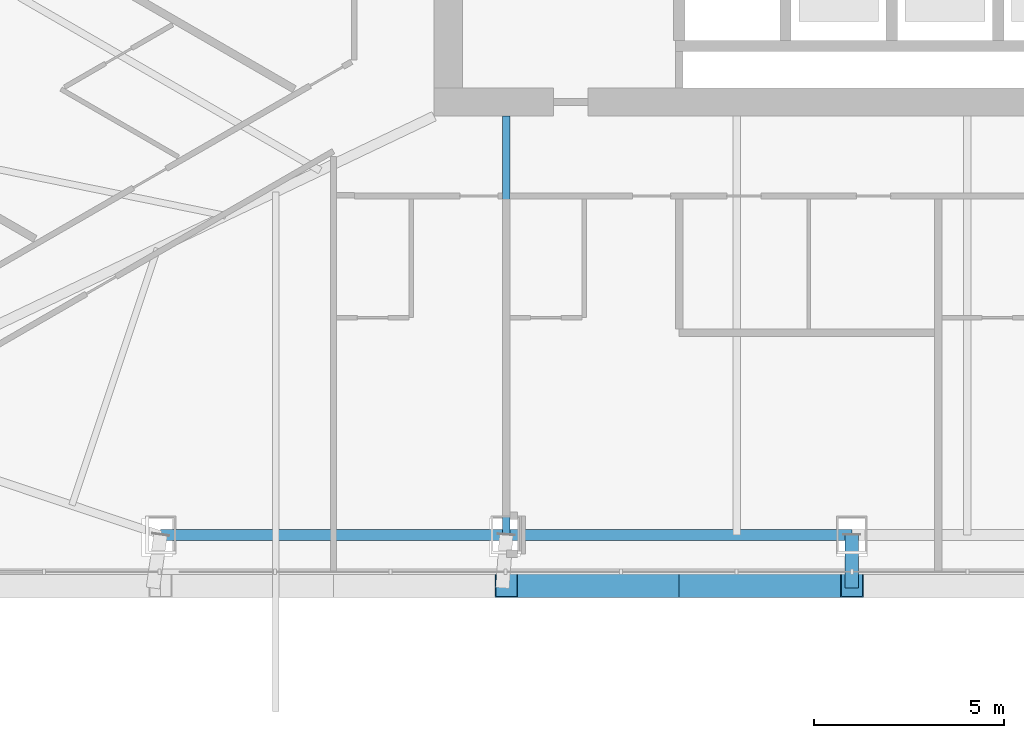
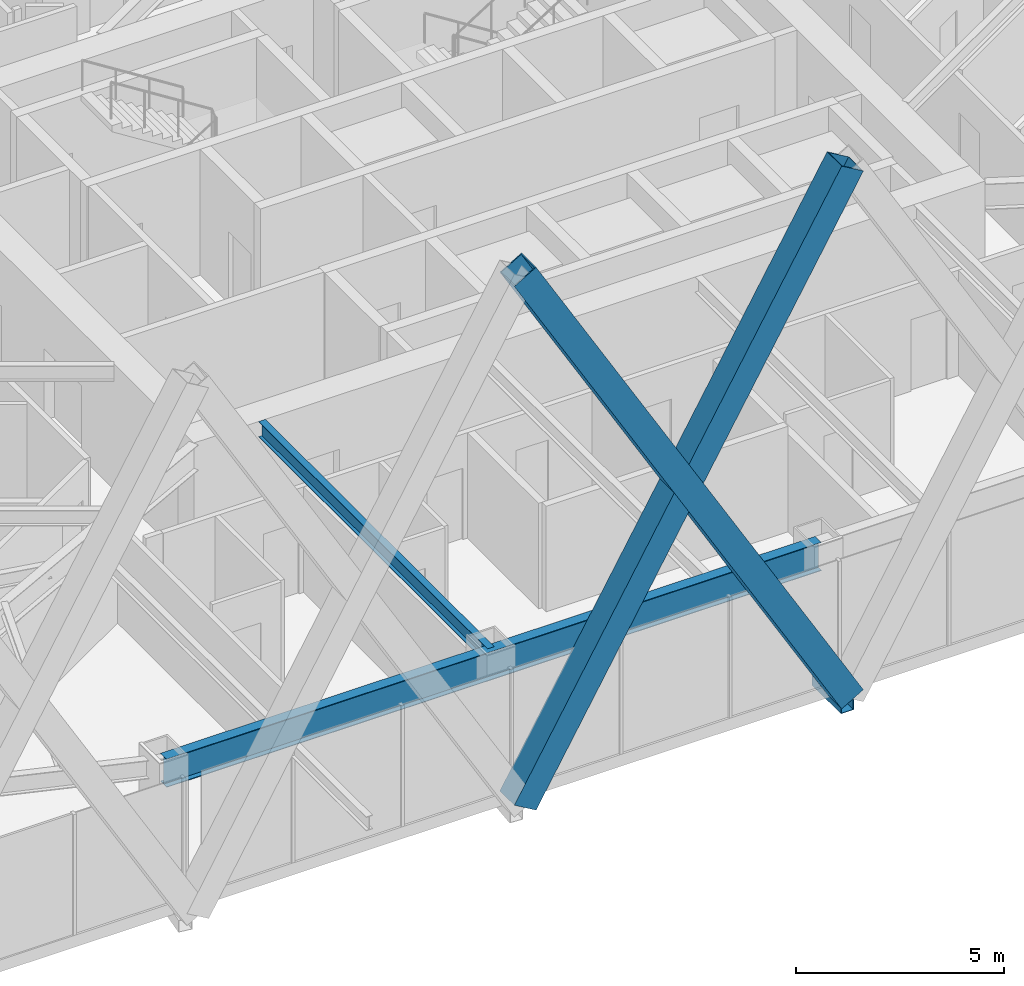
# One storey, part 3 of 26: 3 members, 2 beams.
"""IFC4 building model written with IfcOpenShell, lengths in metres."""

import ifcopenshell
import ifcopenshell.guid

model = None  # the IFC model being written
_history = None  # IfcOwnerHistory: only IFC2X3 demands one
_inside = {}  # id of a spatial element -> (the spatial element, [elements in it])
_under = {}  # id of a project, library or spatial element -> (it, [spatial elements below it])
_declared = {}  # id of a project -> (the project, [libraries it declares])
_typed = {}  # id of a type object -> (the type object, [elements of that type])
_made_of = {}  # id of a material, layer set ... -> (it, [elements and type objects made of it])


def new_model(schema):
    """Start an empty IFC model of exactly this schema.

    Asked for "IFC4X3", IfcOpenShell would pick the latest addendum, in which some entities
    have other attributes; the version numbers below select the first issue.
    IFC2X3 requires an IfcOwnerHistory on every rooted entity: one is made here for all.
    """
    global model, _history
    if schema == "IFC4X3":
        model = ifcopenshell.file(schema_version=(4, 3, 0, 0))
    else:
        model = ifcopenshell.file(schema=schema)
    _inside.clear()
    _under.clear()
    _declared.clear()
    _typed.clear()
    _made_of.clear()
    _history = None
    if model.schema == "IFC2X3":
        org = make("IfcOrganization", Name="unknown")
        user = make(
            "IfcPersonAndOrganization",
            ThePerson=make("IfcPerson", FamilyName="unknown"),
            TheOrganization=org,
        )
        app = make(
            "IfcApplication",
            ApplicationDeveloper=org,
            Version="unknown",
            ApplicationFullName="unknown",
            ApplicationIdentifier="unknown",
        )
        _history = make(
            "IfcOwnerHistory",
            OwningUser=user,
            OwningApplication=app,
            ChangeAction="ADDED",
            CreationDate=0,
        )
    return model


def make(cls, **values):
    """One entity of the class cls with the attributes given. An attribute that is None is left unset."""
    return model.create_entity(
        cls, **{name: value for name, value in values.items() if value is not None}
    )


def rooted(cls, **values):
    """An entity with a GlobalId (a new one), such as an element, a storey or a relation."""
    return make(cls, GlobalId=ifcopenshell.guid.new(), OwnerHistory=_history, **values)


def si_unit(unit_type, name, prefix=None):
    """IfcSIUnit, for example si_unit("LENGTHUNIT", "METRE", prefix="MILLI")."""
    return make("IfcSIUnit", UnitType=unit_type, Prefix=prefix, Name=name)


def assignment(units):
    """IfcUnitAssignment: the units of a project."""
    return None if units is None else make("IfcUnitAssignment", Units=units)


def point(xyz):
    """IfcCartesianPoint."""
    return None if xyz is None else make("IfcCartesianPoint", Coordinates=xyz)


def direction(xyz):
    """IfcDirection."""
    return None if xyz is None else make("IfcDirection", DirectionRatios=xyz)


def frame(location, z_axis=None, x_axis=None):
    """IfcAxis2Placement3D, a coordinate frame: its origin and axes. An axis left out is left unset."""
    return make(
        "IfcAxis2Placement3D",
        Location=point(location),
        Axis=direction(z_axis),
        RefDirection=direction(x_axis),
    )


def frame_2d(location, x_axis=None):
    """IfcAxis2Placement2D, a coordinate frame in the plane: its origin and x axis."""
    return make(
        "IfcAxis2Placement2D", Location=point(location), RefDirection=direction(x_axis)
    )


def origin():
    """The frame at (0, 0, 0) with its axes left unset."""
    return frame((0.0, 0.0, 0.0))


def origin_2d():
    """The frame at (0, 0) in the plane with its x axis left unset."""
    return frame_2d((0.0, 0.0))


def place(relative_to, where):
    """IfcLocalPlacement: puts the frame where relative to a parent placement (None: the world)."""
    return make(
        "IfcLocalPlacement", PlacementRelTo=relative_to, RelativePlacement=where
    )


def context(
    kind, dimensions, precision=None, world=None, true_north=None, identifier=None
):
    """IfcGeometricRepresentationContext, for example the 3D "Model" context."""
    return make(
        "IfcGeometricRepresentationContext",
        ContextIdentifier=identifier,
        ContextType=kind,
        CoordinateSpaceDimension=dimensions,
        Precision=precision,
        WorldCoordinateSystem=world,
        TrueNorth=true_north,
    )


def subcontext(parent, identifier, kind, view, scale=None):
    """IfcGeometricRepresentationSubContext, for example "Body" below "Model"."""
    return make(
        "IfcGeometricRepresentationSubContext",
        ContextIdentifier=identifier,
        ContextType=kind,
        ParentContext=parent,
        TargetScale=scale,
        TargetView=view,
    )


def project(units=None, contexts=None):
    """IfcProject with its units and contexts."""
    return rooted(
        "IfcProject",
        Name="project",
        RepresentationContexts=contexts,
        UnitsInContext=assignment(units),
    )


def spatial(cls, under=None, at=None, **own):
    """A site, building, storey or space (cls), placed at a placement, below another one or the project."""
    s = rooted(cls, ObjectPlacement=at, **own)
    if under is not None:
        _under.setdefault(under.id(), (under, []))[1].append(s)
    return s


def profile(cls, at=None, kind="AREA", **sizes):
    """A parametric profile (cls). Its sizes go by their IFC names, for example OverallWidth=200.0."""
    return make(cls, ProfileType=kind, Position=at, **sizes)


def hollow_rectangle(**sizes):
    """IfcRectangleHollowProfileDef."""
    return profile("IfcRectangleHollowProfileDef", **sizes)


def i_section(**sizes):
    """IfcIShapeProfileDef."""
    return profile("IfcIShapeProfileDef", **sizes)


def extrude(swept, where, along, depth):
    """IfcExtrudedAreaSolid: the profile swept, set in the frame where, extruded along a direction by depth."""
    return make(
        "IfcExtrudedAreaSolid",
        SweptArea=swept,
        Position=where,
        ExtrudedDirection=direction(along),
        Depth=depth,
    )


def shape(context_of_items, identifier, shape_type, items):
    """IfcShapeRepresentation: the items that make up one representation, for example the "Body"."""
    return make(
        "IfcShapeRepresentation",
        ContextOfItems=context_of_items,
        RepresentationIdentifier=identifier,
        RepresentationType=shape_type,
        Items=items,
    )


def material(Name=None, Category=None):
    """IfcMaterial."""
    return make("IfcMaterial", Name=Name, Category=Category)


def material_profile(
    of_material, cross_section, Name=None, Category=None, Priority=None
):
    """IfcMaterialProfile: a cross section and its material."""
    return make(
        "IfcMaterialProfile",
        Name=Name,
        Material=of_material,
        Profile=cross_section,
        Priority=Priority,
        Category=Category,
    )


def profile_set(profiles, Name=None, composite=None):
    """IfcMaterialProfileSet."""
    return make(
        "IfcMaterialProfileSet",
        Name=Name,
        MaterialProfiles=profiles,
        CompositeProfile=composite,
    )


def made_of(thing, what):
    """Note that an element or type object is made of a material, layer set ...; save() writes the relation."""
    if what is not None:
        _made_of.setdefault(what.id(), (what, []))[1].append(thing)
    return thing


def type_object(cls, material=None, **own):
    """A type object (cls), such as IfcWallType, which elements share."""
    return made_of(rooted(cls, **own), material)


def element(
    cls,
    number,
    at=None,
    inside=None,
    cuts=None,
    type_object=None,
    material=None,
    context=None,
    identifier="Body",
    shape_type=None,
    held_by="IfcProductDefinitionShape",
    body=None,
    shapes=None,
    **own,
):
    """One element of the class cls, such as IfcWall. Its Tag is "e" and its number.

    at: its placement. inside: the storey or other place that contains it. cuts: it is an
    opening in that element (IfcRelVoidsElement). A single representation is given by context,
    identifier, shape_type and body (its items); several are given by shapes. held_by: the class
    of the entity that holds the representations. save() writes the other relations.
    """
    e = rooted(cls, Tag="e%d" % number, ObjectPlacement=at, **own)
    if body is not None:
        shapes = [shape(context, identifier, shape_type, body)]
    if shapes is not None:
        e.Representation = make(held_by, Representations=shapes)
    if inside is not None:
        _inside.setdefault(inside.id(), (inside, []))[1].append(e)
    if cuts is not None:
        rooted(
            "IfcRelVoidsElement", RelatingBuildingElement=cuts, RelatedOpeningElement=e
        )
    if type_object is not None:
        _typed.setdefault(type_object.id(), (type_object, []))[1].append(e)
    return made_of(e, material)


def aggregate(whole, parts):
    """IfcRelAggregates: a whole, such as a stair, and the parts it consists of."""
    return rooted("IfcRelAggregates", RelatingObject=whole, RelatedObjects=parts)


def save(model, path):
    """Write the relations noted so far, then the file.

    IfcRelAggregates (storeys below a building ...), IfcRelContainedInSpatialStructure (elements
    in a storey), IfcRelDefinesByType, IfcRelAssociatesMaterial and IfcRelDeclares: one each for
    every whole, place, type object, material and project.
    """
    for whole, parts in _under.values():
        aggregate(whole, parts)
    for where, things in _inside.values():
        rooted(
            "IfcRelContainedInSpatialStructure",
            RelatedElements=things,
            RelatingStructure=where,
        )
    for kind, things in _typed.values():
        rooted("IfcRelDefinesByType", RelatedObjects=things, RelatingType=kind)
    for what, things in _made_of.values():
        rooted("IfcRelAssociatesMaterial", RelatedObjects=things, RelatingMaterial=what)
    for by, libraries in _declared.values():
        rooted("IfcRelDeclares", RelatingContext=by, RelatedDefinitions=libraries)
    model.write(path)


model = new_model("IFC4")

# Units and contexts
model_context = context("Model", 3, precision=1e-05, world=origin(), true_north=direction((0.0, 1.0)))
body_context = subcontext(model_context, "Body", "Model", "MODEL_VIEW")
ifc_project = project(units=[si_unit("LENGTHUNIT", "METRE"), si_unit("AREAUNIT", "SQUARE_METRE"), si_unit("VOLUMEUNIT", "CUBIC_METRE"), si_unit("PLANEANGLEUNIT", "RADIAN"), si_unit("MASSUNIT", "GRAM", prefix="KILO")], contexts=[model_context])

# Site, building, storey
site_placement = place(None, origin())
site = spatial("IfcSite", under=ifc_project, at=site_placement, CompositionType="ELEMENT")
building_placement = place(site_placement, origin())
building = spatial("IfcBuilding", under=site, at=building_placement, Name="Firuza Gate Tower and Library", CompositionType="ELEMENT")
storey_placement = place(building_placement, frame((0.0, 0.0, 155.800048828125)))
storey = spatial("IfcBuildingStorey", under=building, at=storey_placement, Name="L35", CompositionType="ELEMENT", Elevation=155.800048828125)

# Members
ifc_material_1 = material(Name="Steel S355", Category="steel")
ifc_material_profile_1 = material_profile(ifc_material_1, hollow_rectangle(XDim=0.699951171875, YDim=0.699951171875, WallThickness=0.030029296875, at=origin_2d()))
ifc_profile_set_1 = profile_set([ifc_material_profile_1], Name="Steel S355")
member_type_1 = type_object("IfcMemberType", Name="BU700x700x30 Lattice brace", PredefinedType="BRACE", material=ifc_profile_set_1)
for number, where, z_axis, x_axis, name in (
    (1, (65.89990234375, 54.681396484375, 0.0), (0.503878590111, 0.0, 0.863774488178), (0.0, 1.0, 0.0), "Lattice brace S 8.3R"),
    (2, (75.0, 54.681396484375, 0.0), (-0.503878590111, 0.0, 0.863774488178), (0.0, -1.0, 0.0), "Lattice brace S 8.3L"),
):
    element("IfcMember", number, at=place(storey_placement, frame(where, z_axis=z_axis, x_axis=x_axis)), inside=storey, type_object=member_type_1, Name=name, PredefinedType="BRACE", context=body_context, shape_type="SweptSolid", body=[
        extrude(hollow_rectangle(XDim=0.699951171875, YDim=0.699951171875, WallThickness=0.030029296875, at=origin_2d()), origin(), (0.0, 0.0, 1.0), 18.06005859375),
    ])
ifc_material_2 = material(Name="Steel S355", Category="steel")
ifc_material_profile_2 = material_profile(ifc_material_2, hollow_rectangle(XDim=0.355712890625, YDim=0.355712890625, WallThickness=0.014892578125, at=origin_2d()))
ifc_profile_set_2 = profile_set([ifc_material_profile_2], Name="Steel S355")
member_type_2 = type_object("IfcMemberType", Name="HSS356x356x16 Lattice node tie", PredefinedType="BRACE", material=ifc_profile_set_2)
member_placement = place(storey_placement, frame((75.0, 55.9814453125, -0.340087890625), z_axis=(0.0, -1.0, 0.0), x_axis=(1.0, 0.0, 0.0)))
element("IfcMember", 3, at=member_placement, inside=storey, type_object=member_type_2, Name="Lattice node tie S L35 161", PredefinedType="BRACE", context=body_context, shape_type="SweptSolid", body=[
    extrude(hollow_rectangle(XDim=0.355712890625, YDim=0.355712890625, WallThickness=0.014892578125, at=origin_2d()), origin(), (0.0, 0.0, 1.0), 1.39990234375),
])

# Beams
ifc_material_3 = material(Name="Steel S355", Category="steel")
ifc_material_profile_3 = material_profile(ifc_material_3, i_section(OverallWidth=0.18994140625, OverallDepth=0.45703125, WebThickness=0.009033203125, FlangeThickness=0.014404296875, at=origin_2d()))
ifc_profile_set_3 = profile_set([ifc_material_profile_3], Name="Steel S355")
beam_type_1 = type_object("IfcBeamType", Name="W460x74 Floor beam", PredefinedType="JOIST", material=ifc_profile_set_3)
beam_1_placement = place(storey_placement, frame((65.89990234375, 55.9814453125, 3.471435546875), z_axis=(0.0, 1.0, 0.0), x_axis=(-1.0, 0.0, 0.0)))
element("IfcBeam", 4, at=beam_1_placement, inside=storey, type_object=beam_type_1, Name="Floor beam L35 s21", PredefinedType="JOIST", context=body_context, shape_type="SweptSolid", body=[
    extrude(i_section(OverallWidth=0.18994140625, OverallDepth=0.45703125, WebThickness=0.009033203125, FlangeThickness=0.014404296875, at=origin_2d()), origin(), (0.0, 0.0, 1.0), 11.0185546875),
])
ifc_material_4 = material(Name="Steel S355", Category="steel")
ifc_material_profile_4 = material_profile(ifc_material_4, i_section(OverallWidth=0.2919921875, OverallDepth=0.8349609375, WebThickness=0.013916015625, FlangeThickness=0.018798828125, at=origin_2d()))
ifc_profile_set_4 = profile_set([ifc_material_profile_4], Name="Steel S355")
beam_type_2 = type_object("IfcBeamType", Name="W840x176 Edge beam", PredefinedType="SPANDREL", material=ifc_profile_set_4)
beam_2_placement = place(storey_placement, frame((56.800048828125, 55.9814453125, 3.282470703125), z_axis=(1.0, 0.0, 0.0), x_axis=(0.0, 1.0, 0.0)))
element("IfcBeam", 5, at=beam_2_placement, inside=storey, type_object=beam_type_2, Name="Edge beam L35 e20", PredefinedType="SPANDREL", context=body_context, shape_type="SweptSolid", body=[
    extrude(i_section(OverallWidth=0.2919921875, OverallDepth=0.8349609375, WebThickness=0.013916015625, FlangeThickness=0.018798828125, at=origin_2d()), origin(), (0.0, 0.0, 1.0), 18.199951171875),
])

save(model, "model.ifc")
